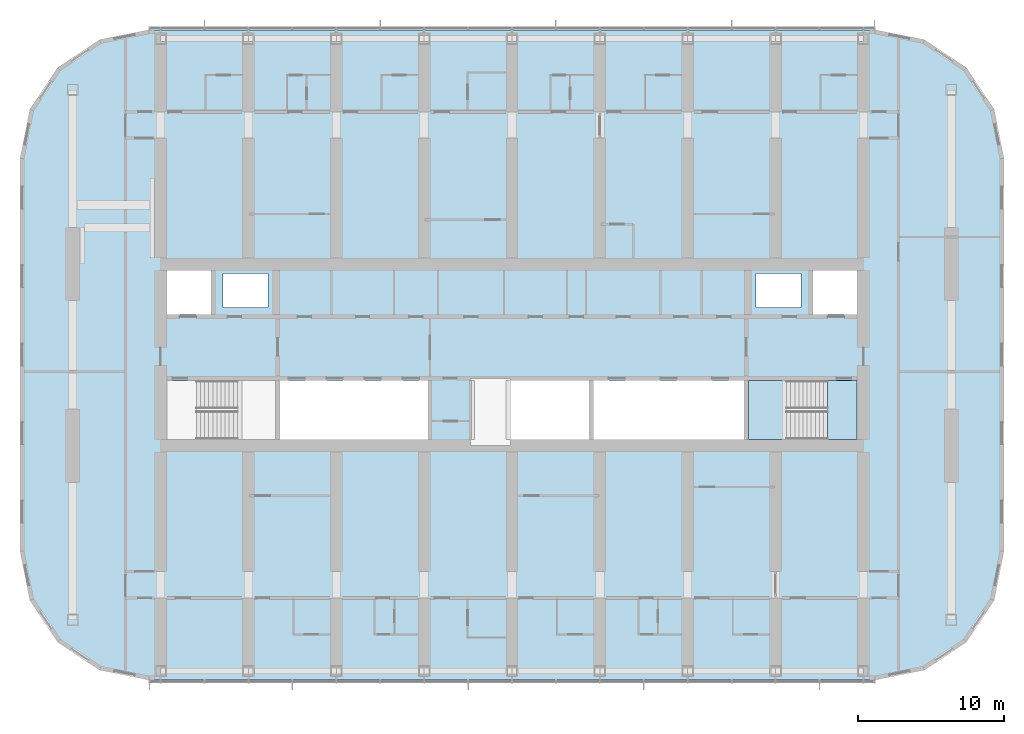
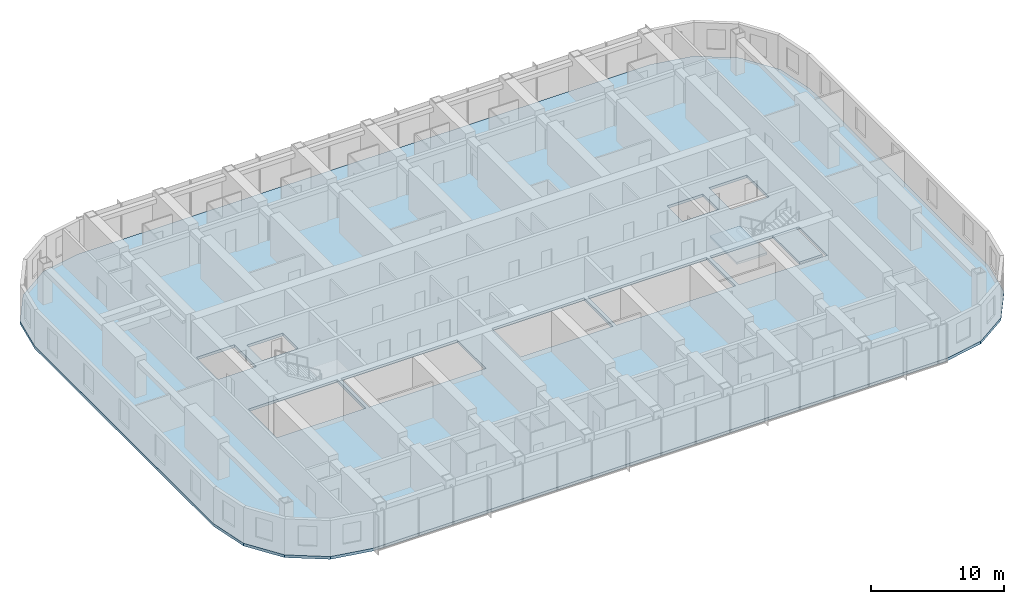
# One storey, part 8 of 22: 3 slabs, 1 element without a shape of its own.
"""IFC4 building model written with IfcOpenShell, lengths in metres."""

from ifc_helpers import new_model, si_unit, direction, frame, origin, place, context, subcontext, project, spatial, polyline, outline, extrude, material, layer, layer_set, type_object, element, aggregate, save


model = new_model("IFC4")

# Units and contexts
model_context = context("Model", 3, precision=1e-05, world=origin(), true_north=direction((0.0, 1.0)))
body_context = subcontext(model_context, "Body", "Model", "MODEL_VIEW")
ifc_project = project(units=[si_unit("LENGTHUNIT", "METRE"), si_unit("AREAUNIT", "SQUARE_METRE"), si_unit("VOLUMEUNIT", "CUBIC_METRE"), si_unit("PLANEANGLEUNIT", "RADIAN"), si_unit("MASSUNIT", "GRAM", prefix="KILO")], contexts=[model_context])

# Site, building, storey
site_placement = place(None, origin())
site = spatial("IfcSite", under=ifc_project, at=site_placement, CompositionType="ELEMENT")
building_placement = place(site_placement, origin())
building = spatial("IfcBuilding", under=site, at=building_placement, Name="Orbita Commons", CompositionType="ELEMENT")
storey_placement = place(building_placement, frame((0.0, 0.0, 144.85009765625)))
storey = spatial("IfcBuildingStorey", under=building, at=storey_placement, Name="L35", CompositionType="ELEMENT", Elevation=144.85009765625)

# Slab
ifc_material_1 = material(Name="Concrete C40/50", Category="concrete")
ifc_layer_1 = layer(ifc_material_1, 0.25)
ifc_layer_set_1 = layer_set([ifc_layer_1], Name="Concrete C40/50")
slab_type_1 = type_object("IfcSlabType", Name="Floor slab 250", PredefinedType="FLOOR", material=ifc_layer_set_1)
slab_1_placement = place(storey_placement, frame((0.0, 0.0, -0.25)))
element("IfcSlab", 1, at=slab_1_placement, inside=storey, type_object=slab_type_1, Name="Floor slab L35", PredefinedType="FLOOR", context=body_context, shape_type="SweptSolid", body=[
    extrude(outline(polyline([(66.800048828125, 9.800048828125), (70.167724609375, 10.469970703125), (73.0224609375, 12.37744140625), (74.93017578125, 15.232421875), (75.60009765625, 18.60009765625), (75.60009765625, 45.39990234375), (74.93017578125, 48.767578125), (73.0224609375, 51.62255859375), (70.167724609375, 53.530029296875), (66.800048828125, 54.199951171875), (17.199951171875, 54.199951171875), (13.832275390625, 53.530029296875), (10.9775390625, 51.62255859375), (9.06982421875, 48.767578125), (8.39990234375, 45.39990234375), (8.39990234375, 18.60009765625), (9.06982421875, 15.232421875), (10.9775390625, 12.37744140625), (13.832275390625, 10.469970703125), (17.199951171875, 9.800048828125), (66.800048828125, 9.800048828125)]), holes=[polyline([(18.14990234375, 25.949951171875), (25.85009765625, 25.949951171875), (25.85009765625, 30.25), (18.14990234375, 30.25), (18.14990234375, 25.949951171875)]), polyline([(58.14990234375, 25.949951171875), (65.85009765625, 25.949951171875), (65.85009765625, 30.25), (58.14990234375, 30.25), (58.14990234375, 25.949951171875)]), polyline([(18.14990234375, 34.75), (21.449951171875, 34.75), (21.449951171875, 38.050048828125), (18.14990234375, 38.050048828125), (18.14990234375, 34.75)]), polyline([(62.550048828125, 34.75), (65.85009765625, 34.75), (65.85009765625, 38.050048828125), (62.550048828125, 38.050048828125), (62.550048828125, 34.75)]), polyline([(22.25, 35.25), (25.35009765625, 35.25), (25.35009765625, 37.550048828125), (22.25, 37.550048828125), (22.25, 35.25)]), polyline([(58.64990234375, 35.25), (61.75, 35.25), (61.75, 37.550048828125), (58.64990234375, 37.550048828125), (58.64990234375, 35.25)]), polyline([(26.14990234375, 25.949951171875), (36.25, 25.949951171875), (36.25, 30.25), (26.14990234375, 30.25), (26.14990234375, 25.949951171875)]), polyline([(39.25, 25.949951171875), (47.25, 25.949951171875), (47.25, 30.25), (39.25, 30.25), (39.25, 25.949951171875)]), polyline([(47.550048828125, 25.949951171875), (57.85009765625, 25.949951171875), (57.85009765625, 30.25), (47.550048828125, 30.25), (47.550048828125, 25.949951171875)])]), origin(), (0.0, 0.0, 1.0), 0.25),
])

# Stair, slabs
ifc_material_2 = material(Name="Precast concrete C40/50", Category="concrete")
stair_type = type_object("IfcStairType", Name="Exit stair S2 2 flights 11 risers 170", PredefinedType="HALF_TURN_STAIR", material=ifc_material_2)
stair_placement = place(storey_placement, origin())
stair = element("IfcStair", 2, at=stair_placement, inside=storey, type_object=stair_type, Name="Exit stair S2 L35", PredefinedType="HALF_TURN_STAIR")
ifc_material_3 = material(Name="Concrete C40/50", Category="concrete")
ifc_layer_2 = layer(ifc_material_3, 0.199951171875)
ifc_layer_set_2 = layer_set([ifc_layer_2], Name="Concrete C40/50")
slab_type_2 = type_object("IfcSlabType", Name="Stair landing 200", PredefinedType="LANDING", material=ifc_layer_set_2)
slab_2_placement = place(storey_placement, frame((0.0, 0.0, -0.2001953125)))
slab_2 = element("IfcSlab", 3, at=slab_2_placement, type_object=slab_type_2, Name="S2 landing 1", PredefinedType="LANDING", context=body_context, shape_type="SweptSolid", body=[
    extrude(outline(polyline([(63.550048828125, 26.22509765625), (65.574951171875, 26.22509765625), (65.574951171875, 30.25), (63.550048828125, 30.25), (63.550048828125, 26.22509765625)])), origin(), (0.0, 0.0, 1.0), 0.2001953125),
])
slab_3_placement = place(storey_placement, frame((0.0, 0.0, 1.6748046875)))
slab_3 = element("IfcSlab", 4, at=slab_3_placement, type_object=slab_type_2, Name="S2 landing 2", PredefinedType="LANDING", context=body_context, shape_type="SweptSolid", body=[
    extrude(outline(polyline([(58.135009765625, 26.2099609375), (60.75, 26.2099609375), (60.75, 30.264892578125), (58.135009765625, 30.264892578125), (58.135009765625, 26.2099609375)])), origin(), (0.0, 0.0, 1.0), 0.2001953125),
])
aggregate(stair, [slab_2, slab_3])

save(model, "model.ifc")
